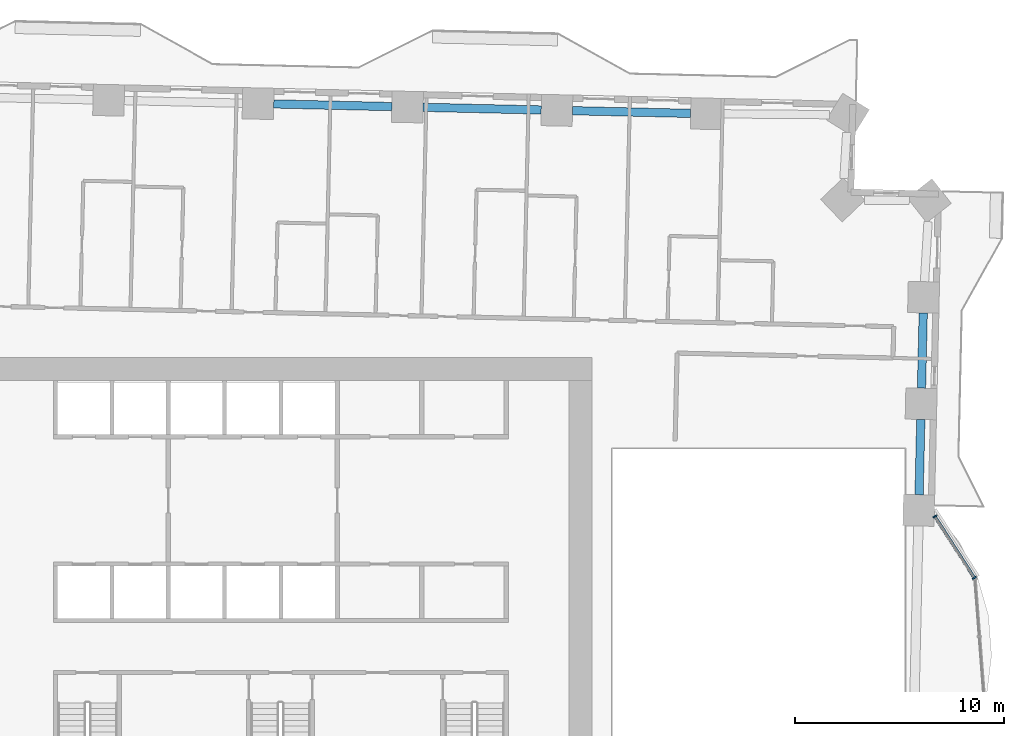
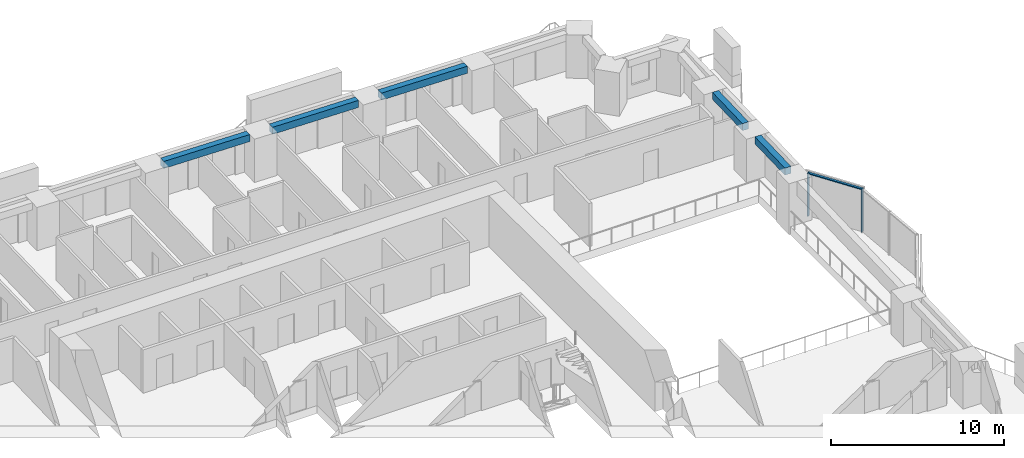
# One storey, part 4 of 20: 5 beams, 3 members, 1 element without a shape of its own.
"""IFC4 building model written with IfcOpenShell, lengths in metres."""

from ifc_helpers import new_model, si_unit, direction, frame, origin, origin_2d, place, context, subcontext, project, spatial, rectangle, extrude, material, material_profile, profile_set, type_object, element, aggregate, save


model = new_model("IFC4")

# Units and contexts
model_context = context("Model", 3, precision=1e-05, world=origin(), true_north=direction((0.0, 1.0)))
body_context = subcontext(model_context, "Body", "Model", "MODEL_VIEW")
ifc_project = project(units=[si_unit("LENGTHUNIT", "METRE"), si_unit("AREAUNIT", "SQUARE_METRE"), si_unit("VOLUMEUNIT", "CUBIC_METRE"), si_unit("PLANEANGLEUNIT", "RADIAN"), si_unit("MASSUNIT", "GRAM", prefix="KILO")], contexts=[model_context])

# Site, building, storey
site_placement = place(None, origin())
site = spatial("IfcSite", under=ifc_project, at=site_placement, CompositionType="ELEMENT")
building_placement = place(site_placement, origin())
building = spatial("IfcBuilding", under=site, at=building_placement, Name="Mangrove Gate Tower", CompositionType="ELEMENT")
storey_placement = place(building_placement, frame((0.0, 0.0, 60.300048828125)))
storey = spatial("IfcBuildingStorey", under=building, at=storey_placement, Name="L14", CompositionType="ELEMENT", Elevation=60.300048828125)

# Curtain wall, members
ifc_material_1 = material(Name="Aluminium and glass curtain wall", Category="aluminium")
curtain_wall_type = type_object("IfcCurtainWallType", Name="Atrium garden-court glazing wall", PredefinedType="NOTDEFINED", material=ifc_material_1)
curtain_wall_placement = place(storey_placement, origin())
curtain_wall = element("IfcCurtainWall", 1, at=curtain_wall_placement, inside=storey, type_object=curtain_wall_type, Name="Atrium garden-court glazing E1f3", PredefinedType="NOTDEFINED")
ifc_material_2 = material(Name="Aluminium alloy 6063-T6", Category="aluminium")
ifc_material_profile_1 = material_profile(ifc_material_2, rectangle(XDim=0.070068359375, YDim=0.199951171875, at=origin_2d()))
ifc_profile_set_1 = profile_set([ifc_material_profile_1], Name="Aluminium alloy 6063-T6")
member_type_1 = type_object("IfcMemberType", Name="Atrium garden-court glazing mullion 70x200", PredefinedType="MULLION", material=ifc_profile_set_1)
member_1_placement = place(storey_placement, frame((33.230712890625, 1.33447265625, 0.0), z_axis=(0.0, 0.0, 1.0), x_axis=(-0.540524576597, 0.841328224948, 0.0)))
member_1 = element("IfcMember", 2, at=member_1_placement, type_object=member_type_1, Name="CWA mullion 1", PredefinedType="MULLION", context=body_context, shape_type="SweptSolid", body=[
    extrude(rectangle(XDim=0.070068359375, YDim=0.199951171875, at=origin_2d()), origin(), (0.0, 0.0, 1.0), 3.050048828125),
])
member_2_placement = place(storey_placement, frame((31.33935546875, 4.2783203125, 0.0), z_axis=(0.0, 0.0, 1.0), x_axis=(-0.540524576597, 0.841328224948, 0.0)))
member_2 = element("IfcMember", 3, at=member_2_placement, type_object=member_type_1, Name="CWA mullion 2", PredefinedType="MULLION", context=body_context, shape_type="SweptSolid", body=[
    extrude(rectangle(XDim=0.070068359375, YDim=0.199951171875, at=origin_2d()), origin(), (0.0, 0.0, 1.0), 3.050048828125),
])
ifc_material_3 = material(Name="Aluminium alloy 6063-T6", Category="aluminium")
ifc_material_profile_2 = material_profile(ifc_material_3, rectangle(XDim=0.070068359375, YDim=0.14990234375, at=origin_2d()))
ifc_profile_set_2 = profile_set([ifc_material_profile_2], Name="Aluminium alloy 6063-T6")
member_type_2 = type_object("IfcMemberType", Name="Atrium garden-court glazing transom 70x150", PredefinedType="USERDEFINED", material=ifc_profile_set_2)
member_3_placement = place(storey_placement, frame((33.211669921875, 1.364013671875, 3.014892578125), z_axis=(-0.540523675836, 0.841328803656, 0.0), x_axis=(0.0, 0.0, 1.0)))
member_3 = element("IfcMember", 4, at=member_3_placement, type_object=member_type_2, Name="CWA transom 1.2", ObjectType="TRANSOM", PredefinedType="USERDEFINED", context=body_context, shape_type="SweptSolid", body=[
    extrude(rectangle(XDim=0.070068359375, YDim=0.14990234375, at=origin_2d()), origin(), (0.0, 0.0, 1.0), 3.42919921875),
])
aggregate(curtain_wall, [member_1, member_2, member_3])

# Beams
ifc_material_4 = material(Name="Concrete C50/60", Category="concrete")
ifc_material_profile_3 = material_profile(ifc_material_4, rectangle(XDim=0.39990234375, YDim=0.5, at=origin_2d()))
ifc_profile_set_3 = profile_set([ifc_material_profile_3], Name="Concrete C50/60")
beam_type = type_object("IfcBeamType", Name="Edge beam RC 400x500 C50/60", PredefinedType="BEAM", material=ifc_profile_set_3)
for number, where, z_axis, x_axis, name in (
    (5, (30.583251953125, 5.31982421875, 2.800048828125), (0.022733700787, 0.999741556028, 0.0), (-0.999741556028, 0.022733700787, 0.0), "Edge beam L14 17"),
    (6, (30.69921875, 10.4267578125, 2.800048828125), (0.022733700787, 0.999741556028, 0.0), (-0.999741556028, 0.022733700787, 0.0), "Edge beam L14 18"),
):
    element("IfcBeam", number, at=place(storey_placement, frame(where, z_axis=z_axis, x_axis=x_axis)), inside=storey, type_object=beam_type, Name=name, PredefinedType="BEAM", context=body_context, shape_type="SweptSolid", body=[
        extrude(rectangle(XDim=0.39990234375, YDim=0.5, at=origin_2d()), origin(), (0.0, 0.0, 1.0), 3.6083984375),
    ])
beam_1_placement = place(storey_placement, frame((19.633056640625, 23.59716796875, 2.800048828125), z_axis=(-0.99974076585, 0.022768423239, 0.0), x_axis=(-0.022768423239, -0.99974076585, 0.0)))
element("IfcBeam", 7, at=beam_1_placement, inside=storey, type_object=beam_type, Name="Edge beam L14 23", PredefinedType="BEAM", context=body_context, shape_type="SweptSolid", body=[
    extrude(rectangle(XDim=0.39990234375, YDim=0.5, at=origin_2d()), origin(), (0.0, 0.0, 1.0), 5.66162109375),
])
beam_2_placement = place(storey_placement, frame((12.47314453125, 23.76025390625, 2.800048828125), z_axis=(-0.999744787315, 0.022591153933, 0.0), x_axis=(-0.022591153933, -0.999744787315, 0.0)))
element("IfcBeam", 8, at=beam_2_placement, inside=storey, type_object=beam_type, Name="Edge beam L14 24", PredefinedType="BEAM", context=body_context, shape_type="SweptSolid", body=[
    extrude(rectangle(XDim=0.39990234375, YDim=0.5, at=origin_2d()), origin(), (0.0, 0.0, 1.0), 5.662841796875),
])
beam_3_placement = place(storey_placement, frame((5.312255859375, 23.92236328125, 2.800048828125), z_axis=(-0.999741768757, 0.022724343849, 0.0), x_axis=(-0.022724343849, -0.999741768757, 0.0)))
element("IfcBeam", 9, at=beam_3_placement, inside=storey, type_object=beam_type, Name="Edge beam L14 25", PredefinedType="BEAM", context=body_context, shape_type="SweptSolid", body=[
    extrude(rectangle(XDim=0.39990234375, YDim=0.5, at=origin_2d()), origin(), (0.0, 0.0, 1.0), 5.661865234375),
])

save(model, "model.ifc")
